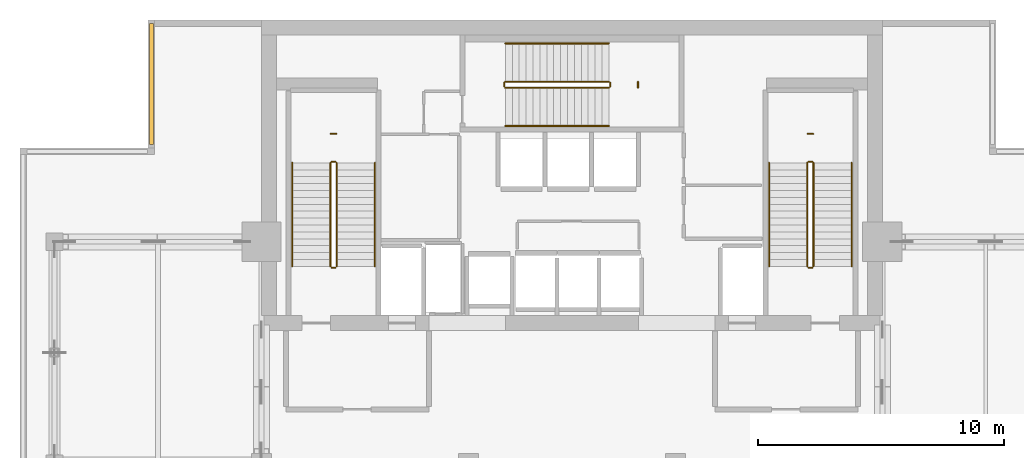
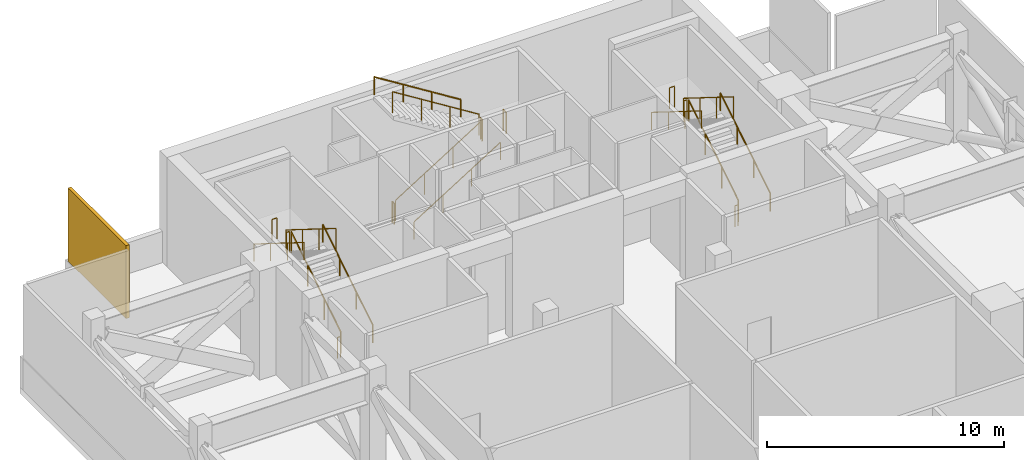
# One storey, part 10 of 11: 21 railings, 1 shading device.
"""IFC4 building model written with IfcOpenShell, lengths in metres."""

from ifc_helpers import new_model, si_unit, direction, frame, origin, origin_2d, place, context, subcontext, project, spatial, rectangle, circle, extrude, material, layer, layer_set, type_object, element, save


model = new_model("IFC4")

# Units and contexts
model_context = context("Model", 3, precision=1e-05, world=origin(), true_north=direction((0.0, 1.0)))
body_context = subcontext(model_context, "Body", "Model", "MODEL_VIEW")
ifc_project = project(units=[si_unit("LENGTHUNIT", "METRE"), si_unit("AREAUNIT", "SQUARE_METRE"), si_unit("VOLUMEUNIT", "CUBIC_METRE"), si_unit("PLANEANGLEUNIT", "RADIAN"), si_unit("MASSUNIT", "GRAM", prefix="KILO")], contexts=[model_context])

# Site, building, storey
site_placement = place(None, origin())
site = spatial("IfcSite", under=ifc_project, at=site_placement, CompositionType="ELEMENT")
building_placement = place(site_placement, origin())
building = spatial("IfcBuilding", under=site, at=building_placement, Name="Maruvema Waterfront Hotel and Observation Tower", CompositionType="ELEMENT")
storey_placement = place(building_placement, frame((0.0, 0.0, 316.39990234375)))
storey = spatial("IfcBuildingStorey", under=building, at=storey_placement, Name="L78", CompositionType="ELEMENT", Elevation=316.39990234375)

# Shading device
ifc_material_1 = material(Name="Anodised architectural bronze aluminium", Category="aluminium")
ifc_layer = layer(ifc_material_1, 0.14990234375, Name="Acoustic Weatherproof Plant Louvre Panel 150 mm")
ifc_layer_set = layer_set([ifc_layer], Name="Anodised architectural bronze aluminium")
shading_device_type = type_object("IfcShadingDeviceType", Name="Acoustic Weatherproof Plant Louvre Panel 150 mm", PredefinedType="JALOUSIE", material=ifc_layer_set)
shading_device_placement = place(storey_placement, frame((20.72998046875, 51.39990234375, 1.60009765625), z_axis=(0.0, 0.0, 1.0), x_axis=(0.0, -1.0, 0.0)))
element("IfcShadingDevice", 1, at=shading_device_placement, inside=storey, type_object=shading_device_type, Name="L78 Mechanical Acoustic Louvre 08", PredefinedType="JALOUSIE", context=body_context, shape_type="SweptSolid", body=[
    extrude(rectangle(XDim=4.89990234375, YDim=0.159912109375, at=origin_2d()), origin(), (0.0, 0.0, 1.0), 3.760009765625),
])

# Railings
ifc_material_2 = material(Name="Brushed stainless steel Grade 316", Category="steel")
railing_type_1 = type_object("IfcRailingType", Name="Ramp Continuous Wall Handrail 920 mm", PredefinedType="HANDRAIL", material=ifc_material_2)
railing_1_placement = place(storey_placement, frame((29.800048828125, 44.0, 0.175048828125)))
element("IfcRailing", 2, at=railing_1_placement, inside=storey, type_object=railing_type_1, Name="L78 ST-01 stair handrail 1", PredefinedType="HANDRAIL", context=body_context, shape_type="SweptSolid", body=[
    extrude(circle(Radius=0.02392578125, at=origin_2d()), frame((0.0, 0.0, 0.89599609375), z_axis=(0.0, 0.847995534698, 0.530003370869), x_axis=(-1.0, 0.0, 0.0)), (0.0, 0.0, 1.0), 4.952880859375),
    extrude(circle(Radius=0.02099609375, at=origin_2d()), origin(), (0.0, 0.0, 1.0), 0.871826171875),
    extrude(circle(Radius=0.02099609375, at=origin_2d()), frame((0.0, 1.39990234375, 0.875)), (0.0, 0.0, 1.0), 0.871826171875),
    extrude(circle(Radius=0.02099609375, at=origin_2d()), frame((0.0, 2.800048828125, 1.75)), (0.0, 0.0, 1.0), 0.871826171875),
    extrude(circle(Radius=0.02099609375, at=origin_2d()), frame((0.0, 4.199951171875, 2.625)), (0.0, 0.0, 1.0), 0.871826171875),
])
railing_2_placement = place(storey_placement, frame((26.449951171875, 48.199951171875, 2.97509765625)))
element("IfcRailing", 3, at=railing_2_placement, inside=storey, type_object=railing_type_1, Name="L78 ST-01 stair handrail 2", PredefinedType="HANDRAIL", context=body_context, shape_type="SweptSolid", body=[
    extrude(circle(Radius=0.02392578125, at=origin_2d()), frame((0.0, 0.0, 0.89599609375), z_axis=(0.0, -0.847995534698, 0.530003370869), x_axis=(1.0, 0.0, 0.0)), (0.0, 0.0, 1.0), 4.952880859375),
    extrude(circle(Radius=0.02099609375, at=origin_2d()), origin(), (0.0, 0.0, 1.0), 0.871826171875),
    extrude(circle(Radius=0.02099609375, at=origin_2d()), frame((0.0, -1.39990234375, 0.875)), (0.0, 0.0, 1.0), 0.871826171875),
    extrude(circle(Radius=0.02099609375, at=origin_2d()), frame((0.0, -2.800048828125, 1.75)), (0.0, 0.0, 1.0), 0.871826171875),
    extrude(circle(Radius=0.02099609375, at=origin_2d()), frame((0.0, -4.199951171875, 2.625)), (0.0, 0.0, 1.0), 0.871826171875),
])
railing_3_placement = place(storey_placement, frame((35.10009765625, 49.699951171875, 0.175048828125)))
element("IfcRailing", 4, at=railing_3_placement, inside=storey, type_object=railing_type_1, Name="L78 ST-02 stair handrail 1", PredefinedType="HANDRAIL", context=body_context, shape_type="SweptSolid", body=[
    extrude(circle(Radius=0.02392578125, at=origin_2d()), frame((0.0, 0.0, 0.89599609375), z_axis=(0.847995534698, 0.0, 0.530003370869), x_axis=(0.0, 1.0, 0.0)), (0.0, 0.0, 1.0), 4.952880859375),
    extrude(circle(Radius=0.02099609375, at=origin_2d()), origin(), (0.0, 0.0, 1.0), 0.871826171875),
    extrude(circle(Radius=0.02099609375, at=origin_2d()), frame((1.39990234375, 0.0, 0.875)), (0.0, 0.0, 1.0), 0.871826171875),
    extrude(circle(Radius=0.02099609375, at=origin_2d()), frame((2.800048828125, 0.0, 1.75)), (0.0, 0.0, 1.0), 0.871826171875),
    extrude(circle(Radius=0.02099609375, at=origin_2d()), frame((4.199951171875, 0.0, 2.625)), (0.0, 0.0, 1.0), 0.871826171875),
])
railing_4_placement = place(storey_placement, frame((39.300048828125, 53.050048828125, 2.97509765625)))
element("IfcRailing", 5, at=railing_4_placement, inside=storey, type_object=railing_type_1, Name="L78 ST-02 stair handrail 2", PredefinedType="HANDRAIL", context=body_context, shape_type="SweptSolid", body=[
    extrude(circle(Radius=0.02392578125, at=origin_2d()), frame((0.0, 0.0, 0.89599609375), z_axis=(-0.847995534698, 0.0, 0.530003370869), x_axis=(0.0, -1.0, 0.0)), (0.0, 0.0, 1.0), 4.952880859375),
    extrude(circle(Radius=0.02099609375, at=origin_2d()), origin(), (0.0, 0.0, 1.0), 0.871826171875),
    extrude(circle(Radius=0.02099609375, at=origin_2d()), frame((-1.39990234375, 0.0, 0.875)), (0.0, 0.0, 1.0), 0.871826171875),
    extrude(circle(Radius=0.02099609375, at=origin_2d()), frame((-2.800048828125, 0.0, 1.75)), (0.0, 0.0, 1.0), 0.871826171875),
    extrude(circle(Radius=0.02099609375, at=origin_2d()), frame((-4.199951171875, 0.0, 2.625)), (0.0, 0.0, 1.0), 0.871826171875),
])
railing_5_placement = place(storey_placement, frame((49.14990234375, 44.0, 0.175048828125)))
element("IfcRailing", 6, at=railing_5_placement, inside=storey, type_object=railing_type_1, Name="L78 ST-03 stair handrail 1", PredefinedType="HANDRAIL", context=body_context, shape_type="SweptSolid", body=[
    extrude(circle(Radius=0.02392578125, at=origin_2d()), frame((0.0, 0.0, 0.89599609375), z_axis=(0.0, 0.847995534698, 0.530003370869), x_axis=(-1.0, 0.0, 0.0)), (0.0, 0.0, 1.0), 4.952880859375),
    extrude(circle(Radius=0.02099609375, at=origin_2d()), origin(), (0.0, 0.0, 1.0), 0.871826171875),
    extrude(circle(Radius=0.02099609375, at=origin_2d()), frame((0.0, 1.39990234375, 0.875)), (0.0, 0.0, 1.0), 0.871826171875),
    extrude(circle(Radius=0.02099609375, at=origin_2d()), frame((0.0, 2.800048828125, 1.75)), (0.0, 0.0, 1.0), 0.871826171875),
    extrude(circle(Radius=0.02099609375, at=origin_2d()), frame((0.0, 4.199951171875, 2.625)), (0.0, 0.0, 1.0), 0.871826171875),
])
railing_6_placement = place(storey_placement, frame((45.800048828125, 48.199951171875, 2.97509765625)))
element("IfcRailing", 7, at=railing_6_placement, inside=storey, type_object=railing_type_1, Name="L78 ST-03 stair handrail 2", PredefinedType="HANDRAIL", context=body_context, shape_type="SweptSolid", body=[
    extrude(circle(Radius=0.02392578125, at=origin_2d()), frame((0.0, 0.0, 0.89599609375), z_axis=(0.0, -0.847995534698, 0.530003370869), x_axis=(1.0, 0.0, 0.0)), (0.0, 0.0, 1.0), 4.952880859375),
    extrude(circle(Radius=0.02099609375, at=origin_2d()), origin(), (0.0, 0.0, 1.0), 0.871826171875),
    extrude(circle(Radius=0.02099609375, at=origin_2d()), frame((0.0, -1.39990234375, 0.875)), (0.0, 0.0, 1.0), 0.871826171875),
    extrude(circle(Radius=0.02099609375, at=origin_2d()), frame((0.0, -2.800048828125, 1.75)), (0.0, 0.0, 1.0), 0.871826171875),
    extrude(circle(Radius=0.02099609375, at=origin_2d()), frame((0.0, -4.199951171875, 2.625)), (0.0, 0.0, 1.0), 0.871826171875),
])
ifc_material_3 = material(Name="Brushed stainless steel Grade 316", Category="steel")
railing_type_2 = type_object("IfcRailingType", Name="Ramp and Terrace Guard Balustrade 1100 mm", PredefinedType="BALUSTRADE", material=ifc_material_3)
railing_7_placement = place(storey_placement, frame((28.25, 44.0, 0.175048828125)))
element("IfcRailing", 8, at=railing_7_placement, inside=storey, type_object=railing_type_2, Name="L78 ST-01 stair guard 1", PredefinedType="BALUSTRADE", context=body_context, shape_type="SweptSolid", body=[
    extrude(circle(Radius=0.02392578125, at=origin_2d()), frame((0.0, 0.0, 1.076171875), z_axis=(0.0, 0.847995534698, 0.530003370869), x_axis=(-1.0, 0.0, 0.0)), (0.0, 0.0, 1.0), 4.952880859375),
    extrude(circle(Radius=0.02099609375, at=origin_2d()), origin(), (0.0, 0.0, 1.0), 1.052001953125),
    extrude(circle(Radius=0.02099609375, at=origin_2d()), frame((0.0, 1.39990234375, 0.875)), (0.0, 0.0, 1.0), 1.052001953125),
    extrude(circle(Radius=0.02099609375, at=origin_2d()), frame((0.0, 2.800048828125, 1.75)), (0.0, 0.0, 1.0), 1.052001953125),
    extrude(circle(Radius=0.02099609375, at=origin_2d()), frame((0.0, 4.199951171875, 2.625)), (0.0, 0.0, 1.0), 1.052001953125),
])
railing_8_placement = place(storey_placement, frame((28.199951171875, 48.25, 2.800048828125)))
element("IfcRailing", 9, at=railing_8_placement, inside=storey, type_object=railing_type_2, Name="L78 ST-01 stair guard 2", PredefinedType="BALUSTRADE", context=body_context, shape_type="SweptSolid", body=[
    extrude(circle(Radius=0.02392578125, at=origin_2d()), frame((0.0, 0.0, 1.076171875), z_axis=(-1.0, 0.0, 0.0), x_axis=(0.0, -1.0, 0.0)), (0.0, 0.0, 1.0), 0.14990234375),
    extrude(circle(Radius=0.02099609375, at=origin_2d()), origin(), (0.0, 0.0, 1.0), 1.052001953125),
    extrude(circle(Radius=0.02099609375, at=origin_2d()), frame((-0.14990234375, 0.0, 0.0)), (0.0, 0.0, 1.0), 1.052001953125),
])
railing_9_placement = place(storey_placement, frame((28.0, 48.199951171875, 2.97509765625)))
element("IfcRailing", 10, at=railing_9_placement, inside=storey, type_object=railing_type_2, Name="L78 ST-01 stair guard 3", PredefinedType="BALUSTRADE", context=body_context, shape_type="SweptSolid", body=[
    extrude(circle(Radius=0.02392578125, at=origin_2d()), frame((0.0, 0.0, 1.076171875), z_axis=(0.0, -0.847995534698, 0.530003370869), x_axis=(1.0, 0.0, 0.0)), (0.0, 0.0, 1.0), 4.952880859375),
    extrude(circle(Radius=0.02099609375, at=origin_2d()), origin(), (0.0, 0.0, 1.0), 1.052001953125),
    extrude(circle(Radius=0.02099609375, at=origin_2d()), frame((0.0, -1.39990234375, 0.875)), (0.0, 0.0, 1.0), 1.052001953125),
    extrude(circle(Radius=0.02099609375, at=origin_2d()), frame((0.0, -2.800048828125, 1.75)), (0.0, 0.0, 1.0), 1.052001953125),
    extrude(circle(Radius=0.02099609375, at=origin_2d()), frame((0.0, -4.199951171875, 2.625)), (0.0, 0.0, 1.0), 1.052001953125),
])
railing_10_placement = place(storey_placement, frame((28.199951171875, 43.949951171875, 0.0)))
element("IfcRailing", 11, at=railing_10_placement, inside=storey, type_object=railing_type_2, Name="L78 ST-01 stair guard 4", PredefinedType="BALUSTRADE", context=body_context, shape_type="SweptSolid", body=[
    extrude(circle(Radius=0.02392578125, at=origin_2d()), frame((0.0, 0.0, 1.076171875), z_axis=(-1.0, 0.0, 0.0), x_axis=(0.0, -1.0, 0.0)), (0.0, 0.0, 1.0), 0.14990234375),
    extrude(circle(Radius=0.02099609375, at=origin_2d()), origin(), (0.0, 0.0, 1.0), 1.052001953125),
    extrude(circle(Radius=0.02099609375, at=origin_2d()), frame((-0.14990234375, 0.0, 0.0)), (0.0, 0.0, 1.0), 1.052001953125),
])
railing_11_placement = place(storey_placement, frame((28.239990234375, 49.3798828125, 2.800048828125)))
element("IfcRailing", 12, at=railing_11_placement, inside=storey, type_object=railing_type_2, Name="L78 ST-01 Half-Landing Slot Guard", PredefinedType="BALUSTRADE", context=body_context, shape_type="SweptSolid", body=[
    extrude(circle(Radius=0.02392578125, at=origin_2d()), frame((0.0, 0.0, 1.076171875), z_axis=(-1.0, 0.0, 0.0), x_axis=(0.0, -1.0, 0.0)), (0.0, 0.0, 1.0), 0.22998046875),
    extrude(circle(Radius=0.02099609375, at=origin_2d()), origin(), (0.0, 0.0, 1.0), 1.052001953125),
    extrude(circle(Radius=0.02099609375, at=origin_2d()), frame((-0.22998046875, 0.0, 0.0)), (0.0, 0.0, 1.0), 1.052001953125),
])
railing_12_placement = place(storey_placement, frame((35.10009765625, 51.25, 0.175048828125)))
element("IfcRailing", 13, at=railing_12_placement, inside=storey, type_object=railing_type_2, Name="L78 ST-02 stair guard 1", PredefinedType="BALUSTRADE", context=body_context, shape_type="SweptSolid", body=[
    extrude(circle(Radius=0.02392578125, at=origin_2d()), frame((0.0, 0.0, 1.076171875), z_axis=(0.847995534698, 0.0, 0.530003370869), x_axis=(0.0, 1.0, 0.0)), (0.0, 0.0, 1.0), 4.952880859375),
    extrude(circle(Radius=0.02099609375, at=origin_2d()), origin(), (0.0, 0.0, 1.0), 1.052001953125),
    extrude(circle(Radius=0.02099609375, at=origin_2d()), frame((1.39990234375, 0.0, 0.875)), (0.0, 0.0, 1.0), 1.052001953125),
    extrude(circle(Radius=0.02099609375, at=origin_2d()), frame((2.800048828125, 0.0, 1.75)), (0.0, 0.0, 1.0), 1.052001953125),
    extrude(circle(Radius=0.02099609375, at=origin_2d()), frame((4.199951171875, 0.0, 2.625)), (0.0, 0.0, 1.0), 1.052001953125),
])
railing_13_placement = place(storey_placement, frame((39.35009765625, 51.300048828125, 2.800048828125)))
element("IfcRailing", 14, at=railing_13_placement, inside=storey, type_object=railing_type_2, Name="L78 ST-02 stair guard 2", PredefinedType="BALUSTRADE", context=body_context, shape_type="SweptSolid", body=[
    extrude(circle(Radius=0.02392578125, at=origin_2d()), frame((0.0, 0.0, 1.076171875), z_axis=(0.0, 1.0, 0.0), x_axis=(-1.0, 0.0, 0.0)), (0.0, 0.0, 1.0), 0.14990234375),
    extrude(circle(Radius=0.02099609375, at=origin_2d()), origin(), (0.0, 0.0, 1.0), 1.052001953125),
    extrude(circle(Radius=0.02099609375, at=origin_2d()), frame((0.0, 0.14990234375, 0.0)), (0.0, 0.0, 1.0), 1.052001953125),
])
railing_14_placement = place(storey_placement, frame((39.300048828125, 51.5, 2.97509765625)))
element("IfcRailing", 15, at=railing_14_placement, inside=storey, type_object=railing_type_2, Name="L78 ST-02 stair guard 3", PredefinedType="BALUSTRADE", context=body_context, shape_type="SweptSolid", body=[
    extrude(circle(Radius=0.02392578125, at=origin_2d()), frame((0.0, 0.0, 1.076171875), z_axis=(-0.847995534698, 0.0, 0.530003370869), x_axis=(0.0, -1.0, 0.0)), (0.0, 0.0, 1.0), 4.952880859375),
    extrude(circle(Radius=0.02099609375, at=origin_2d()), origin(), (0.0, 0.0, 1.0), 1.052001953125),
    extrude(circle(Radius=0.02099609375, at=origin_2d()), frame((-1.39990234375, 0.0, 0.875)), (0.0, 0.0, 1.0), 1.052001953125),
    extrude(circle(Radius=0.02099609375, at=origin_2d()), frame((-2.800048828125, 0.0, 1.75)), (0.0, 0.0, 1.0), 1.052001953125),
    extrude(circle(Radius=0.02099609375, at=origin_2d()), frame((-4.199951171875, 0.0, 2.625)), (0.0, 0.0, 1.0), 1.052001953125),
])
railing_15_placement = place(storey_placement, frame((35.050048828125, 51.300048828125, 0.0)))
element("IfcRailing", 16, at=railing_15_placement, inside=storey, type_object=railing_type_2, Name="L78 ST-02 stair guard 4", PredefinedType="BALUSTRADE", context=body_context, shape_type="SweptSolid", body=[
    extrude(circle(Radius=0.02392578125, at=origin_2d()), frame((0.0, 0.0, 1.076171875), z_axis=(0.0, 1.0, 0.0), x_axis=(-1.0, 0.0, 0.0)), (0.0, 0.0, 1.0), 0.14990234375),
    extrude(circle(Radius=0.02099609375, at=origin_2d()), origin(), (0.0, 0.0, 1.0), 1.052001953125),
    extrude(circle(Radius=0.02099609375, at=origin_2d()), frame((0.0, 0.14990234375, 0.0)), (0.0, 0.0, 1.0), 1.052001953125),
])
railing_16_placement = place(storey_placement, frame((40.47998046875, 51.260009765625, 2.800048828125)))
element("IfcRailing", 17, at=railing_16_placement, inside=storey, type_object=railing_type_2, Name="L78 ST-02 Half-Landing Slot Guard", PredefinedType="BALUSTRADE", context=body_context, shape_type="SweptSolid", body=[
    extrude(circle(Radius=0.02392578125, at=origin_2d()), frame((0.0, 0.0, 1.076171875), z_axis=(0.0, 1.0, 0.0), x_axis=(-1.0, 0.0, 0.0)), (0.0, 0.0, 1.0), 0.22998046875),
    extrude(circle(Radius=0.02099609375, at=origin_2d()), origin(), (0.0, 0.0, 1.0), 1.052001953125),
    extrude(circle(Radius=0.02099609375, at=origin_2d()), frame((0.0, 0.22998046875, 0.0)), (0.0, 0.0, 1.0), 1.052001953125),
])
railing_17_placement = place(storey_placement, frame((47.60009765625, 44.0, 0.175048828125)))
element("IfcRailing", 18, at=railing_17_placement, inside=storey, type_object=railing_type_2, Name="L78 ST-03 stair guard 1", PredefinedType="BALUSTRADE", context=body_context, shape_type="SweptSolid", body=[
    extrude(circle(Radius=0.02392578125, at=origin_2d()), frame((0.0, 0.0, 1.076171875), z_axis=(0.0, 0.847995534698, 0.530003370869), x_axis=(-1.0, 0.0, 0.0)), (0.0, 0.0, 1.0), 4.952880859375),
    extrude(circle(Radius=0.02099609375, at=origin_2d()), origin(), (0.0, 0.0, 1.0), 1.052001953125),
    extrude(circle(Radius=0.02099609375, at=origin_2d()), frame((0.0, 1.39990234375, 0.875)), (0.0, 0.0, 1.0), 1.052001953125),
    extrude(circle(Radius=0.02099609375, at=origin_2d()), frame((0.0, 2.800048828125, 1.75)), (0.0, 0.0, 1.0), 1.052001953125),
    extrude(circle(Radius=0.02099609375, at=origin_2d()), frame((0.0, 4.199951171875, 2.625)), (0.0, 0.0, 1.0), 1.052001953125),
])
railing_18_placement = place(storey_placement, frame((47.550048828125, 48.25, 2.800048828125)))
element("IfcRailing", 19, at=railing_18_placement, inside=storey, type_object=railing_type_2, Name="L78 ST-03 stair guard 2", PredefinedType="BALUSTRADE", context=body_context, shape_type="SweptSolid", body=[
    extrude(circle(Radius=0.02392578125, at=origin_2d()), frame((0.0, 0.0, 1.076171875), z_axis=(-1.0, 0.0, 0.0), x_axis=(0.0, -1.0, 0.0)), (0.0, 0.0, 1.0), 0.150146484375),
    extrude(circle(Radius=0.02099609375, at=origin_2d()), origin(), (0.0, 0.0, 1.0), 1.052001953125),
    extrude(circle(Radius=0.02099609375, at=origin_2d()), frame((-0.150146484375, 0.0, 0.0)), (0.0, 0.0, 1.0), 1.052001953125),
])
railing_19_placement = place(storey_placement, frame((47.35009765625, 48.199951171875, 2.97509765625)))
element("IfcRailing", 20, at=railing_19_placement, inside=storey, type_object=railing_type_2, Name="L78 ST-03 stair guard 3", PredefinedType="BALUSTRADE", context=body_context, shape_type="SweptSolid", body=[
    extrude(circle(Radius=0.02392578125, at=origin_2d()), frame((0.0, 0.0, 1.076171875), z_axis=(0.0, -0.847995534698, 0.530003370869), x_axis=(1.0, 0.0, 0.0)), (0.0, 0.0, 1.0), 4.952880859375),
    extrude(circle(Radius=0.02099609375, at=origin_2d()), origin(), (0.0, 0.0, 1.0), 1.052001953125),
    extrude(circle(Radius=0.02099609375, at=origin_2d()), frame((0.0, -1.39990234375, 0.875)), (0.0, 0.0, 1.0), 1.052001953125),
    extrude(circle(Radius=0.02099609375, at=origin_2d()), frame((0.0, -2.800048828125, 1.75)), (0.0, 0.0, 1.0), 1.052001953125),
    extrude(circle(Radius=0.02099609375, at=origin_2d()), frame((0.0, -4.199951171875, 2.625)), (0.0, 0.0, 1.0), 1.052001953125),
])
railing_20_placement = place(storey_placement, frame((47.550048828125, 43.949951171875, 0.0)))
element("IfcRailing", 21, at=railing_20_placement, inside=storey, type_object=railing_type_2, Name="L78 ST-03 stair guard 4", PredefinedType="BALUSTRADE", context=body_context, shape_type="SweptSolid", body=[
    extrude(circle(Radius=0.02392578125, at=origin_2d()), frame((0.0, 0.0, 1.076171875), z_axis=(-1.0, 0.0, 0.0), x_axis=(0.0, -1.0, 0.0)), (0.0, 0.0, 1.0), 0.150146484375),
    extrude(circle(Radius=0.02099609375, at=origin_2d()), origin(), (0.0, 0.0, 1.0), 1.052001953125),
    extrude(circle(Radius=0.02099609375, at=origin_2d()), frame((-0.150146484375, 0.0, 0.0)), (0.0, 0.0, 1.0), 1.052001953125),
])
railing_21_placement = place(storey_placement, frame((47.590087890625, 49.3798828125, 2.800048828125)))
element("IfcRailing", 22, at=railing_21_placement, inside=storey, type_object=railing_type_2, Name="L78 ST-03 Half-Landing Slot Guard", PredefinedType="BALUSTRADE", context=body_context, shape_type="SweptSolid", body=[
    extrude(circle(Radius=0.02392578125, at=origin_2d()), frame((0.0, 0.0, 1.076171875), z_axis=(-1.0, 0.0, 0.0), x_axis=(0.0, -1.0, 0.0)), (0.0, 0.0, 1.0), 0.22998046875),
    extrude(circle(Radius=0.02099609375, at=origin_2d()), origin(), (0.0, 0.0, 1.0), 1.052001953125),
    extrude(circle(Radius=0.02099609375, at=origin_2d()), frame((-0.22998046875, 0.0, 0.0)), (0.0, 0.0, 1.0), 1.052001953125),
])

save(model, "model.ifc")
